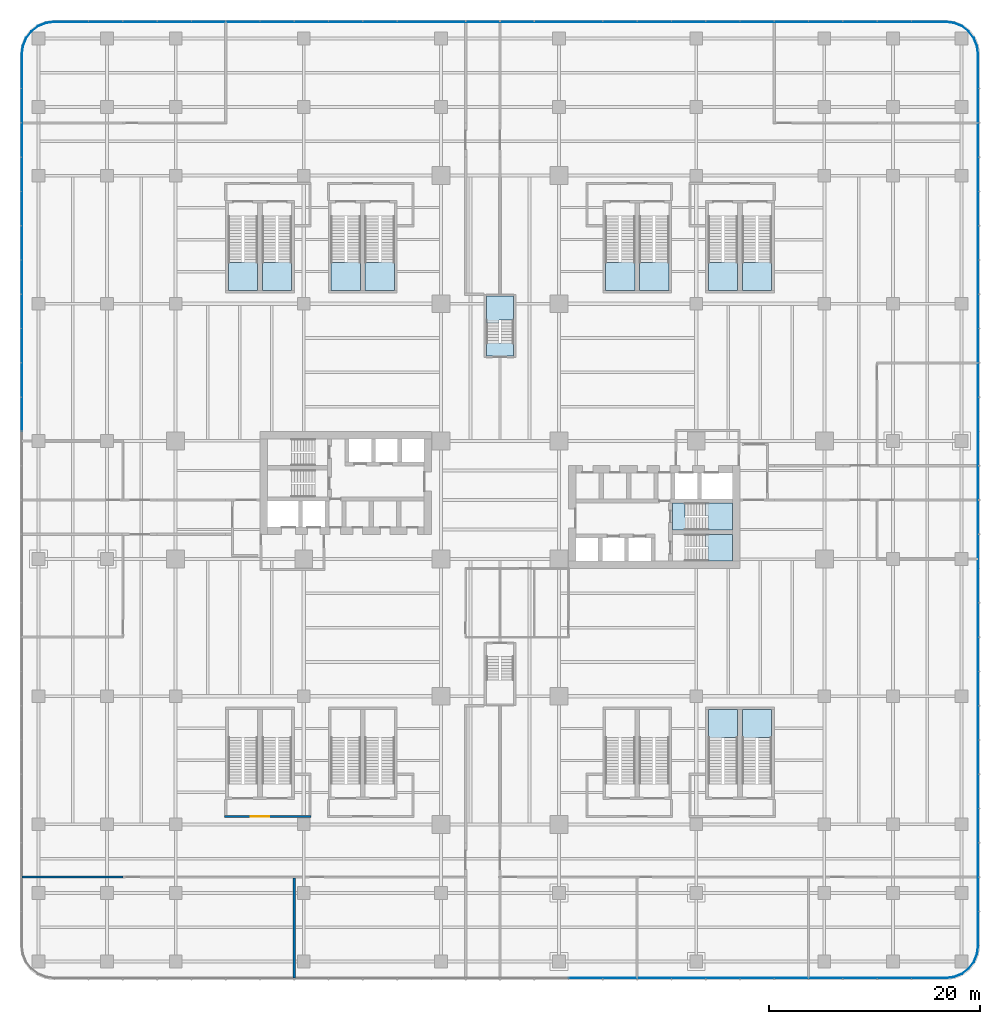
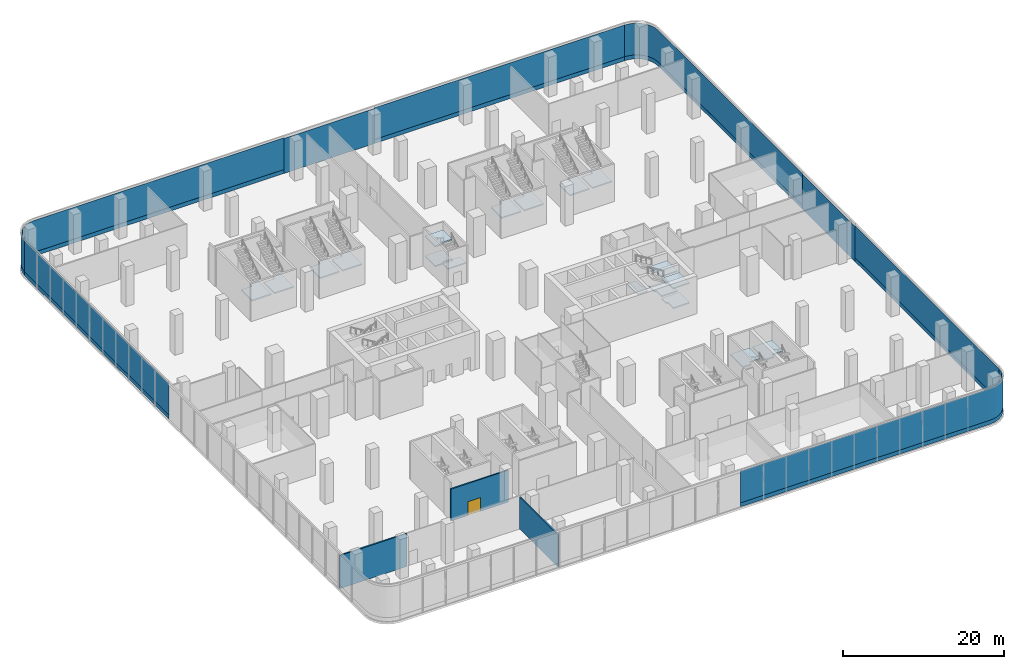
# One storey, part 32 of 41: 18 slabs, 14 plates, 3 walls, 1 door, 1 opening, 21 elements without a shape of their own.
"""IFC4 building model written with IfcOpenShell, lengths in metres."""

from ifc_helpers import new_model, si_unit, direction, frame, frame_2d, origin, place, context, subcontext, project, spatial, polyline, rectangle, outline, extrude, source, transform, mapped, material, layer, layer_set, type_object, element, fill, aggregate, save


model = new_model("IFC4")

# Units and contexts
model_context = context("Model", 3, precision=1e-05, world=origin(), true_north=direction((0.0, 1.0)))
body_context = subcontext(model_context, "Body", "Model", "MODEL_VIEW")
ifc_project = project(units=[si_unit("LENGTHUNIT", "METRE"), si_unit("AREAUNIT", "SQUARE_METRE"), si_unit("VOLUMEUNIT", "CUBIC_METRE"), si_unit("PLANEANGLEUNIT", "RADIAN"), si_unit("MASSUNIT", "GRAM", prefix="KILO")], contexts=[model_context])

# Site, building, storey
site_placement = place(None, origin())
site = spatial("IfcSite", under=ifc_project, at=site_placement, CompositionType="ELEMENT")
building_placement = place(site_placement, origin())
building = spatial("IfcBuilding", under=site, at=building_placement, Name="Trellis Farm Tower", CompositionType="ELEMENT")
storey_placement = place(building_placement, frame((0.0, 0.0, 8.0)))
storey = spatial("IfcBuildingStorey", under=building, at=storey_placement, Name="L01", CompositionType="ELEMENT", Elevation=8.0)

# Stair, slab
ifc_material_1 = material(Name="Concrete C50/60", Category="concrete")
stair_type_1 = type_object("IfcStairType", Name="PODIUM EXIT STAIR 34 RISERS 176 MM 1250 WIDE", PredefinedType="HALF_TURN_STAIR", material=ifc_material_1)
placement_1 = place(storey_placement, origin())
stair_1 = element("IfcStair", 1, at=placement_1, inside=storey, type_object=stair_type_1, Name="Podium exit stair STP1A", PredefinedType="HALF_TURN_STAIR")
ifc_layer_1 = layer(ifc_material_1, 0.18994140625)
ifc_layer_set_1 = layer_set([ifc_layer_1], Name="CORE STAIR LANDING 190 CONCRETE C50/60")
slab_type_1 = type_object("IfcSlabType", Name="CORE STAIR LANDING 190 CONCRETE C50/60", PredefinedType="LANDING", material=ifc_layer_set_1)
placement_2 = place(storey_placement, frame((0.0, 0.0, 2.81005859375)))
slab_1 = element("IfcSlab", 2, at=placement_2, type_object=slab_type_1, Name="STP1A landing 1", PredefinedType="LANDING", context=body_context, shape_type="SweptSolid", body=[
    extrude(outline(polyline([(-22.969970703125, 19.85009765625), (-25.75, 19.85009765625), (-25.75, 22.5), (-25.75, 22.510009765625), (-24.5, 22.510009765625), (-24.5, 22.5), (-24.219970703125, 22.5), (-24.219970703125, 23.034423828125), (-22.969970703125, 23.034423828125), (-22.969970703125, 22.5), (-22.969970703125, 19.85009765625)])), origin(), (0.0, 0.0, 1.0), 0.18994140625),
])
aggregate(stair_1, [slab_1])

stair_2 = element("IfcStair", 3, at=placement_1, inside=storey, type_object=stair_type_1, Name="Podium exit stair STP1B", PredefinedType="HALF_TURN_STAIR")
slab_2 = element("IfcSlab", 4, at=placement_2, type_object=slab_type_1, Name="STP1B landing 1", PredefinedType="LANDING", context=body_context, shape_type="SweptSolid", body=[
    extrude(outline(polyline([(-19.75, 19.85009765625), (-22.530029296875, 19.85009765625), (-22.530029296875, 22.5), (-22.530029296875, 22.510009765625), (-21.280029296875, 22.510009765625), (-21.280029296875, 22.5), (-21.0, 22.5), (-21.0, 23.034423828125), (-19.75, 23.034423828125), (-19.75, 22.5), (-19.75, 19.85009765625)])), origin(), (0.0, 0.0, 1.0), 0.18994140625),
])
aggregate(stair_2, [slab_2])

stair_3 = element("IfcStair", 5, at=placement_1, inside=storey, type_object=stair_type_1, Name="Podium exit stair STP2A", PredefinedType="HALF_TURN_STAIR")
slab_3 = element("IfcSlab", 6, at=placement_2, type_object=slab_type_1, Name="STP2A landing 1", PredefinedType="LANDING", context=body_context, shape_type="SweptSolid", body=[
    extrude(outline(polyline([(-13.219970703125, 19.85009765625), (-16.0, 19.85009765625), (-16.0, 22.5), (-16.0, 22.510009765625), (-14.75, 22.510009765625), (-14.75, 22.5), (-14.469970703125, 22.5), (-14.469970703125, 23.034423828125), (-13.219970703125, 23.034423828125), (-13.219970703125, 22.5), (-13.219970703125, 19.85009765625)])), origin(), (0.0, 0.0, 1.0), 0.18994140625),
])
aggregate(stair_3, [slab_3])

stair_4 = element("IfcStair", 7, at=placement_1, inside=storey, type_object=stair_type_1, Name="Podium exit stair STP2B", PredefinedType="HALF_TURN_STAIR")
slab_4 = element("IfcSlab", 8, at=placement_2, type_object=slab_type_1, Name="STP2B landing 1", PredefinedType="LANDING", context=body_context, shape_type="SweptSolid", body=[
    extrude(outline(polyline([(-10.0, 19.85009765625), (-12.780029296875, 19.85009765625), (-12.780029296875, 22.5), (-12.780029296875, 22.510009765625), (-11.530029296875, 22.510009765625), (-11.530029296875, 22.5), (-11.25, 22.5), (-11.25, 23.034423828125), (-10.0, 23.034423828125), (-10.0, 22.5), (-10.0, 19.85009765625)])), origin(), (0.0, 0.0, 1.0), 0.18994140625),
])
aggregate(stair_4, [slab_4])

stair_5 = element("IfcStair", 9, at=placement_1, inside=storey, type_object=stair_type_1, Name="Podium exit stair STP3A", PredefinedType="HALF_TURN_STAIR")
slab_5 = element("IfcSlab", 10, at=placement_2, type_object=slab_type_1, Name="STP3A landing 1", PredefinedType="LANDING", context=body_context, shape_type="SweptSolid", body=[
    extrude(outline(polyline([(12.780029296875, 19.85009765625), (10.0, 19.85009765625), (10.0, 22.5), (10.0, 22.510009765625), (11.25, 22.510009765625), (11.25, 22.5), (11.530029296875, 22.5), (11.530029296875, 23.034423828125), (12.780029296875, 23.034423828125), (12.780029296875, 22.5), (12.780029296875, 19.85009765625)])), origin(), (0.0, 0.0, 1.0), 0.18994140625),
])
aggregate(stair_5, [slab_5])

stair_6 = element("IfcStair", 11, at=placement_1, inside=storey, type_object=stair_type_1, Name="Podium exit stair STP3B", PredefinedType="HALF_TURN_STAIR")
slab_6 = element("IfcSlab", 12, at=placement_2, type_object=slab_type_1, Name="STP3B landing 1", PredefinedType="LANDING", context=body_context, shape_type="SweptSolid", body=[
    extrude(outline(polyline([(16.0, 19.85009765625), (13.219970703125, 19.85009765625), (13.219970703125, 22.5), (13.219970703125, 22.510009765625), (14.469970703125, 22.510009765625), (14.469970703125, 22.5), (14.75, 22.5), (14.75, 23.034423828125), (16.0, 23.034423828125), (16.0, 22.5), (16.0, 19.85009765625)])), origin(), (0.0, 0.0, 1.0), 0.18994140625),
])
aggregate(stair_6, [slab_6])

stair_7 = element("IfcStair", 13, at=placement_1, inside=storey, type_object=stair_type_1, Name="Podium exit stair STP4A", PredefinedType="HALF_TURN_STAIR")
slab_7 = element("IfcSlab", 14, at=placement_2, type_object=slab_type_1, Name="STP4A landing 1", PredefinedType="LANDING", context=body_context, shape_type="SweptSolid", body=[
    extrude(outline(polyline([(22.530029296875, 19.85009765625), (19.75, 19.85009765625), (19.75, 22.5), (19.75, 22.510009765625), (21.0, 22.510009765625), (21.0, 22.5), (21.280029296875, 22.5), (21.280029296875, 23.034423828125), (22.530029296875, 23.034423828125), (22.530029296875, 22.5), (22.530029296875, 19.85009765625)])), origin(), (0.0, 0.0, 1.0), 0.18994140625),
])
aggregate(stair_7, [slab_7])

stair_8 = element("IfcStair", 15, at=placement_1, inside=storey, type_object=stair_type_1, Name="Podium exit stair STP4B", PredefinedType="HALF_TURN_STAIR")
slab_8 = element("IfcSlab", 16, at=placement_2, type_object=slab_type_1, Name="STP4B landing 1", PredefinedType="LANDING", context=body_context, shape_type="SweptSolid", body=[
    extrude(outline(polyline([(25.75, 19.85009765625), (22.969970703125, 19.85009765625), (22.969970703125, 22.5), (22.969970703125, 22.510009765625), (24.219970703125, 22.510009765625), (24.219970703125, 22.5), (24.5, 22.5), (24.5, 23.034423828125), (25.75, 23.034423828125), (25.75, 22.5), (25.75, 19.85009765625)])), origin(), (0.0, 0.0, 1.0), 0.18994140625),
])
aggregate(stair_8, [slab_8])

stair_9 = element("IfcStair", 17, at=placement_1, inside=storey, type_object=stair_type_1, Name="Podium exit stair STP8A", PredefinedType="HALF_TURN_STAIR")
slab_9 = element("IfcSlab", 18, at=placement_2, type_object=slab_type_1, Name="STP8A landing 1", PredefinedType="LANDING", context=body_context, shape_type="SweptSolid", body=[
    extrude(outline(polyline([(21.0, -23.034423828125), (19.75, -23.034423828125), (19.75, -22.5), (19.75, -19.85009765625), (22.530029296875, -19.85009765625), (22.530029296875, -22.5), (22.530029296875, -22.510009765625), (21.280029296875, -22.510009765625), (21.280029296875, -22.5), (21.0, -22.5), (21.0, -23.034423828125)])), origin(), (0.0, 0.0, 1.0), 0.18994140625),
])
aggregate(stair_9, [slab_9])

stair_10 = element("IfcStair", 19, at=placement_1, inside=storey, type_object=stair_type_1, Name="Podium exit stair STP8B", PredefinedType="HALF_TURN_STAIR")
slab_10 = element("IfcSlab", 20, at=placement_2, type_object=slab_type_1, Name="STP8B landing 1", PredefinedType="LANDING", context=body_context, shape_type="SweptSolid", body=[
    extrude(outline(polyline([(24.219970703125, -23.034423828125), (22.969970703125, -23.034423828125), (22.969970703125, -22.5), (22.969970703125, -19.85009765625), (25.75, -19.85009765625), (25.75, -22.5), (25.75, -22.510009765625), (24.5, -22.510009765625), (24.5, -22.5), (24.219970703125, -22.5), (24.219970703125, -23.034423828125)])), origin(), (0.0, 0.0, 1.0), 0.18994140625),
])
aggregate(stair_10, [slab_10])

# Curtain wall, plate
ifc_material_2 = material(Name="Aluminium and glass curtain wall", Category="aluminium")
ifc_layer_2 = layer(ifc_material_2, 0.201904296875)
ifc_layer_set_2 = layer_set([ifc_layer_2], Name="SHOPFRONT CURTAIN WALL CW2")
curtain_wall_type_1 = type_object("IfcCurtainWallType", Name="SHOPFRONT CURTAIN WALL CW2", PredefinedType="NOTDEFINED", material=ifc_layer_set_2)
curtain_wall_1 = element("IfcCurtainWall", 21, at=placement_1, inside=storey, type_object=curtain_wall_type_1, Name="CW2 001", PredefinedType="NOTDEFINED")
ifc_material_3 = material(Name="Clear insulated glass", Category="glass")
ifc_layer_3 = layer(ifc_material_3, 0.052001953125)
ifc_layer_set_3 = layer_set([ifc_layer_3], Name="CW2 GLASS PANEL 52")
plate_type_1 = type_object("IfcPlateType", Name="CW2 GLASS PANEL 52", PredefinedType="CURTAIN_PANEL", material=ifc_layer_set_3)
placement_3 = place(storey_placement, frame((0.0, 0.0, 0.60009765625)))
plate_1 = element("IfcPlate", 22, at=placement_3, type_object=plate_type_1, Name="PL2 001", PredefinedType="CURTAIN_PANEL", context=body_context, shape_type="SweptSolid", body=[
    extrude(outline(polyline([(45.35009765625, -42.240234375), (45.35009765625, -6.5), (45.298095703125, -6.5), (45.298095703125, -42.23681640625), (45.35009765625, -42.240234375)])), origin(), (0.0, 0.0, 1.0), 4.7998046875),
])

curtain_wall_2 = element("IfcCurtainWall", 23, at=placement_1, inside=storey, type_object=curtain_wall_type_1, Name="CW2 002", PredefinedType="NOTDEFINED")
plate_2 = element("IfcPlate", 24, at=placement_3, type_object=plate_type_1, Name="PL2 002", PredefinedType="CURTAIN_PANEL", context=body_context, shape_type="SweptSolid", body=[
    extrude(outline(polyline([(45.35009765625, 6.5), (45.35009765625, 42.240234375), (45.2431640625, 43.052001953125), (44.93359375, 43.79931640625), (44.441162109375, 44.441162109375), (43.79931640625, 44.93359375), (43.052001953125, 45.2431640625), (42.240234375, 45.35009765625), (42.23681640625, 45.298095703125), (43.038330078125, 45.1923828125), (43.773193359375, 44.88818359375), (44.404052734375, 44.404052734375), (44.88818359375, 43.773193359375), (45.1923828125, 43.038330078125), (45.298095703125, 42.23681640625), (45.298095703125, 6.5), (45.35009765625, 6.5)])), origin(), (0.0, 0.0, 1.0), 4.7998046875),
])

curtain_wall_3 = element("IfcCurtainWall", 25, at=placement_1, inside=storey, type_object=curtain_wall_type_1, Name="CW2 003", PredefinedType="NOTDEFINED")
plate_3 = element("IfcPlate", 26, at=placement_3, type_object=plate_type_1, Name="PL2 003", PredefinedType="CURTAIN_PANEL", context=body_context, shape_type="SweptSolid", body=[
    extrude(outline(polyline([(42.240234375, 45.35009765625), (6.5, 45.35009765625), (6.5, 45.298095703125), (42.23681640625, 45.298095703125), (42.240234375, 45.35009765625)])), origin(), (0.0, 0.0, 1.0), 4.7998046875),
])

curtain_wall_4 = element("IfcCurtainWall", 27, at=placement_1, inside=storey, type_object=curtain_wall_type_1, Name="CW2 004", PredefinedType="NOTDEFINED")
plate_4 = element("IfcPlate", 28, at=placement_3, type_object=plate_type_1, Name="PL2 004", PredefinedType="CURTAIN_PANEL", context=body_context, shape_type="SweptSolid", body=[
    extrude(outline(polyline([(-6.5, 45.35009765625), (-42.240234375, 45.35009765625), (-43.052001953125, 45.2431640625), (-43.79931640625, 44.93359375), (-44.441162109375, 44.441162109375), (-44.93359375, 43.79931640625), (-45.2431640625, 43.052001953125), (-45.35009765625, 42.240234375), (-45.298095703125, 42.23681640625), (-45.1923828125, 43.038330078125), (-44.88818359375, 43.773193359375), (-44.404052734375, 44.404052734375), (-43.773193359375, 44.88818359375), (-43.038330078125, 45.1923828125), (-42.23681640625, 45.298095703125), (-6.5, 45.298095703125), (-6.5, 45.35009765625)])), origin(), (0.0, 0.0, 1.0), 4.7998046875),
])

curtain_wall_5 = element("IfcCurtainWall", 29, at=placement_1, inside=storey, type_object=curtain_wall_type_1, Name="CW2 005", PredefinedType="NOTDEFINED")
plate_5 = element("IfcPlate", 30, at=placement_3, type_object=plate_type_1, Name="PL2 005", PredefinedType="CURTAIN_PANEL", context=body_context, shape_type="SweptSolid", body=[
    extrude(outline(polyline([(-45.35009765625, 42.240234375), (-45.35009765625, 6.5), (-45.298095703125, 6.5), (-45.298095703125, 42.23681640625), (-45.35009765625, 42.240234375)])), origin(), (0.0, 0.0, 1.0), 4.7998046875),
])

curtain_wall_6 = element("IfcCurtainWall", 31, at=placement_1, inside=storey, type_object=curtain_wall_type_1, Name="CW2 008", PredefinedType="NOTDEFINED")
plate_6 = element("IfcPlate", 32, at=placement_3, type_object=plate_type_1, Name="PL2 008", PredefinedType="CURTAIN_PANEL", context=body_context, shape_type="SweptSolid", body=[
    extrude(outline(polyline([(6.5, -45.35009765625), (42.240234375, -45.35009765625), (43.052001953125, -45.2431640625), (43.79931640625, -44.93359375), (44.441162109375, -44.441162109375), (44.93359375, -43.79931640625), (45.2431640625, -43.052001953125), (45.35009765625, -42.240234375), (45.298095703125, -42.23681640625), (45.1923828125, -43.038330078125), (44.88818359375, -43.773193359375), (44.404052734375, -44.404052734375), (43.773193359375, -44.88818359375), (43.038330078125, -45.1923828125), (42.23681640625, -45.298095703125), (6.5, -45.298095703125), (6.5, -45.35009765625)])), origin(), (0.0, 0.0, 1.0), 4.7998046875),
])

# Plate
ifc_material_4 = material(Name="Sandstone faced insulated panel", Category="masonry")
ifc_layer_4 = layer(ifc_material_4, 0.054931640625)
ifc_layer_set_4 = layer_set([ifc_layer_4], Name="CW2 STONE SPANDREL PANEL 55")
plate_type_2 = type_object("IfcPlateType", Name="CW2 STONE SPANDREL PANEL 55", PredefinedType="CURTAIN_PANEL", material=ifc_layer_set_4)
plate_7 = element("IfcPlate", 33, at=placement_1, type_object=plate_type_2, Name="PS2 001", PredefinedType="CURTAIN_PANEL", context=body_context, shape_type="SweptSolid", body=[
    extrude(outline(polyline([(45.35009765625, -42.240234375), (45.35009765625, -6.5), (45.294921875, -6.5), (45.294921875, -42.236572265625), (45.35009765625, -42.240234375)])), origin(), (0.0, 0.0, 1.0), 0.60009765625),
])

aggregate(curtain_wall_1, [plate_1, plate_7])

plate_8 = element("IfcPlate", 34, at=placement_1, type_object=plate_type_2, Name="PS2 002", PredefinedType="CURTAIN_PANEL", context=body_context, shape_type="SweptSolid", body=[
    extrude(outline(polyline([(45.35009765625, 6.5), (45.35009765625, 42.240234375), (45.2431640625, 43.052001953125), (44.93359375, 43.79931640625), (44.441162109375, 44.441162109375), (43.79931640625, 44.93359375), (43.052001953125, 45.2431640625), (42.240234375, 45.35009765625), (42.236572265625, 45.294921875), (43.03759765625, 45.189453125), (43.771728515625, 44.885498046875), (44.40185546875, 44.40185546875), (44.885498046875, 43.771728515625), (45.189453125, 43.03759765625), (45.294921875, 42.236572265625), (45.294921875, 6.5), (45.35009765625, 6.5)])), origin(), (0.0, 0.0, 1.0), 0.60009765625),
])

aggregate(curtain_wall_2, [plate_2, plate_8])

plate_9 = element("IfcPlate", 35, at=placement_1, type_object=plate_type_2, Name="PS2 003", PredefinedType="CURTAIN_PANEL", context=body_context, shape_type="SweptSolid", body=[
    extrude(outline(polyline([(42.240234375, 45.35009765625), (6.5, 45.35009765625), (6.5, 45.294921875), (42.236572265625, 45.294921875), (42.240234375, 45.35009765625)])), origin(), (0.0, 0.0, 1.0), 0.60009765625),
])

aggregate(curtain_wall_3, [plate_3, plate_9])

plate_10 = element("IfcPlate", 36, at=placement_1, type_object=plate_type_2, Name="PS2 004", PredefinedType="CURTAIN_PANEL", context=body_context, shape_type="SweptSolid", body=[
    extrude(outline(polyline([(-6.5, 45.35009765625), (-42.240234375, 45.35009765625), (-43.052001953125, 45.2431640625), (-43.79931640625, 44.93359375), (-44.441162109375, 44.441162109375), (-44.93359375, 43.79931640625), (-45.2431640625, 43.052001953125), (-45.35009765625, 42.240234375), (-45.294921875, 42.236572265625), (-45.189453125, 43.03759765625), (-44.885498046875, 43.771728515625), (-44.40185546875, 44.40185546875), (-43.771728515625, 44.885498046875), (-43.03759765625, 45.189453125), (-42.236572265625, 45.294921875), (-6.5, 45.294921875), (-6.5, 45.35009765625)])), origin(), (0.0, 0.0, 1.0), 0.60009765625),
])

aggregate(curtain_wall_4, [plate_4, plate_10])

plate_11 = element("IfcPlate", 37, at=placement_1, type_object=plate_type_2, Name="PS2 005", PredefinedType="CURTAIN_PANEL", context=body_context, shape_type="SweptSolid", body=[
    extrude(outline(polyline([(-45.35009765625, 42.240234375), (-45.35009765625, 6.5), (-45.294921875, 6.5), (-45.294921875, 42.236572265625), (-45.35009765625, 42.240234375)])), origin(), (0.0, 0.0, 1.0), 0.60009765625),
])

aggregate(curtain_wall_5, [plate_5, plate_11])

plate_12 = element("IfcPlate", 38, at=placement_1, type_object=plate_type_2, Name="PS2 008", PredefinedType="CURTAIN_PANEL", context=body_context, shape_type="SweptSolid", body=[
    extrude(outline(polyline([(6.5, -45.35009765625), (42.240234375, -45.35009765625), (43.052001953125, -45.2431640625), (43.79931640625, -44.93359375), (44.441162109375, -44.441162109375), (44.93359375, -43.79931640625), (45.2431640625, -43.052001953125), (45.35009765625, -42.240234375), (45.294921875, -42.236572265625), (45.189453125, -43.03759765625), (44.885498046875, -43.771728515625), (44.40185546875, -44.40185546875), (43.771728515625, -44.885498046875), (43.03759765625, -45.189453125), (42.236572265625, -45.294921875), (6.5, -45.294921875), (6.5, -45.35009765625)])), origin(), (0.0, 0.0, 1.0), 0.60009765625),
])

aggregate(curtain_wall_6, [plate_6, plate_12])

# Curtain wall, plate
ifc_layer_5 = layer(ifc_material_2, 0.2099609375)
ifc_layer_set_5 = layer_set([ifc_layer_5], Name="LOBBY CURTAIN WALL CW4")
curtain_wall_type_2 = type_object("IfcCurtainWallType", Name="LOBBY CURTAIN WALL CW4", PredefinedType="NOTDEFINED", material=ifc_layer_set_5)
curtain_wall_7 = element("IfcCurtainWall", 39, at=placement_1, inside=storey, type_object=curtain_wall_type_2, Name="CW4 001", PredefinedType="NOTDEFINED")
ifc_layer_6 = layer(ifc_material_3, 0.06005859375)
ifc_layer_set_6 = layer_set([ifc_layer_6], Name="CW4 GLASS PANEL 60")
plate_type_3 = type_object("IfcPlateType", Name="CW4 GLASS PANEL 60", PredefinedType="CURTAIN_PANEL", material=ifc_layer_set_6)
plate_13 = element("IfcPlate", 40, at=placement_1, type_object=plate_type_3, Name="PL4 001", PredefinedType="CURTAIN_PANEL", context=body_context, shape_type="SweptSolid", body=[
    extrude(outline(polyline([(45.35009765625, -6.5), (45.35009765625, 6.5), (45.2900390625, 6.5), (45.2900390625, -6.5), (45.35009765625, -6.5)])), origin(), (0.0, 0.0, 1.0), 5.300048828125),
])
aggregate(curtain_wall_7, [plate_13])

curtain_wall_8 = element("IfcCurtainWall", 41, at=placement_1, inside=storey, type_object=curtain_wall_type_2, Name="CW4 002", PredefinedType="NOTDEFINED")
plate_14 = element("IfcPlate", 42, at=placement_1, type_object=plate_type_3, Name="PL4 002", PredefinedType="CURTAIN_PANEL", context=body_context, shape_type="SweptSolid", body=[
    extrude(outline(polyline([(6.5, 45.35009765625), (-6.5, 45.35009765625), (-6.5, 45.2900390625), (6.5, 45.2900390625), (6.5, 45.35009765625)])), origin(), (0.0, 0.0, 1.0), 5.300048828125),
])
aggregate(curtain_wall_8, [plate_14])

# Stair, slabs
stair_type_2 = type_object("IfcStairType", Name="CORE EXIT STAIR 36 RISERS 167 MM", PredefinedType="HALF_TURN_STAIR", material=ifc_material_1)
stair_11 = element("IfcStair", 43, at=placement_1, inside=storey, type_object=stair_type_2, Name="Exit stair N", PredefinedType="HALF_TURN_STAIR")
ifc_layer_7 = layer(ifc_material_1, 0.179931640625)
ifc_layer_set_7 = layer_set([ifc_layer_7], Name="CORE STAIR LANDING 180 CONCRETE C50/60")
slab_type_2 = type_object("IfcSlabType", Name="CORE STAIR LANDING 180 CONCRETE C50/60", PredefinedType="LANDING", material=ifc_layer_set_7)
shared_shape_1 = source(origin(), body_context, "Body", "SweptSolid", [
    extrude(outline(polyline([(-0.10009765625, 16.79052734375), (-1.300048828125, 16.79052734375), (-1.300048828125, 17.050048828125), (-1.300048828125, 19.35009765625), (1.300048828125, 19.35009765625), (1.300048828125, 17.050048828125), (1.300048828125, 17.0400390625), (0.10009765625, 17.0400390625), (0.10009765625, 17.050048828125), (-0.10009765625, 17.050048828125), (-0.10009765625, 16.79052734375)])), origin(), (0.0, 0.0, 1.0), 0.179931640625),
])
placement_4 = place(storey_placement, frame((0.0, 0.0, 1.320068359375)))
slab_11 = element("IfcSlab", 44, at=placement_4, type_object=slab_type_2, Name="STN landing 1", PredefinedType="LANDING", context=body_context, shape_type="MappedRepresentation", body=[
    mapped(shared_shape_1, transform((0.0, 0.0, 0.0))),
])
placement_5 = place(storey_placement, frame((0.0, 0.0, 4.320068359375)))
slab_12 = element("IfcSlab", 45, at=placement_5, type_object=slab_type_2, Name="STN landing 3", PredefinedType="LANDING", context=body_context, shape_type="MappedRepresentation", body=[
    mapped(shared_shape_1, transform((0.0, 0.0, 0.0))),
])
shared_shape_2 = source(origin(), body_context, "Body", "SweptSolid", [
    extrude(outline(polyline([(1.300048828125, 13.64990234375), (-1.300048828125, 13.64990234375), (-1.300048828125, 14.85009765625), (-1.300048828125, 14.860107421875), (-0.10009765625, 14.860107421875), (-0.10009765625, 14.85009765625), (0.10009765625, 14.85009765625), (0.10009765625, 15.109375), (1.300048828125, 15.109375), (1.300048828125, 14.85009765625), (1.300048828125, 13.64990234375)])), origin(), (0.0, 0.0, 1.0), 0.179931640625),
])
placement_6 = place(storey_placement, frame((0.0, 0.0, 2.820068359375)))
slab_13 = element("IfcSlab", 46, at=placement_6, type_object=slab_type_2, Name="STN landing 2", PredefinedType="LANDING", context=body_context, shape_type="MappedRepresentation", body=[
    mapped(shared_shape_2, transform((0.0, 0.0, 0.0))),
])
aggregate(stair_11, [slab_11, slab_13, slab_12])

stair_12 = element("IfcStair", 47, at=placement_1, inside=storey, type_object=stair_type_2, Name="Exit stair E1", PredefinedType="HALF_TURN_STAIR")
shared_shape_3 = source(origin(), body_context, "Body", "SweptSolid", [
    extrude(outline(polyline([(19.739990234375, -5.800048828125), (19.739990234375, -4.60009765625), (19.75, -4.60009765625), (19.75, -4.449951171875), (19.49072265625, -4.449951171875), (19.49072265625, -3.25), (19.75, -3.25), (22.050048828125, -3.25), (22.050048828125, -5.800048828125), (19.75, -5.800048828125), (19.739990234375, -5.800048828125)])), origin(), (0.0, 0.0, 1.0), 0.179931640625),
])
slab_14 = element("IfcSlab", 48, at=placement_4, type_object=slab_type_2, Name="STE1 landing 1", PredefinedType="LANDING", context=body_context, shape_type="MappedRepresentation", body=[
    mapped(shared_shape_3, transform((0.0, 0.0, 0.0))),
])
slab_15 = element("IfcSlab", 49, at=placement_5, type_object=slab_type_2, Name="STE1 landing 3", PredefinedType="LANDING", context=body_context, shape_type="MappedRepresentation", body=[
    mapped(shared_shape_3, transform((0.0, 0.0, 0.0))),
])
aggregate(stair_12, [slab_14, slab_15])

stair_13 = element("IfcStair", 50, at=placement_1, inside=storey, type_object=stair_type_2, Name="Exit stair E2", PredefinedType="HALF_TURN_STAIR")
shared_shape_4 = source(origin(), body_context, "Body", "SweptSolid", [
    extrude(outline(polyline([(19.739990234375, -2.85009765625), (19.739990234375, -1.64990234375), (19.75, -1.64990234375), (19.75, -1.5), (19.49072265625, -1.5), (19.49072265625, -0.300048828125), (19.75, -0.300048828125), (22.050048828125, -0.300048828125), (22.050048828125, -2.85009765625), (19.75, -2.85009765625), (19.739990234375, -2.85009765625)])), origin(), (0.0, 0.0, 1.0), 0.179931640625),
])
slab_16 = element("IfcSlab", 51, at=placement_4, type_object=slab_type_2, Name="STE2 landing 1", PredefinedType="LANDING", context=body_context, shape_type="MappedRepresentation", body=[
    mapped(shared_shape_4, transform((0.0, 0.0, 0.0))),
])
slab_17 = element("IfcSlab", 52, at=placement_5, type_object=slab_type_2, Name="STE2 landing 3", PredefinedType="LANDING", context=body_context, shape_type="MappedRepresentation", body=[
    mapped(shared_shape_4, transform((0.0, 0.0, 0.0))),
])
shared_shape_5 = source(origin(), body_context, "Body", "SweptSolid", [
    extrude(outline(polyline([(17.809326171875, -1.64990234375), (17.809326171875, -2.85009765625), (17.550048828125, -2.85009765625), (16.35009765625, -2.85009765625), (16.35009765625, -0.300048828125), (17.550048828125, -0.300048828125), (17.56005859375, -0.300048828125), (17.56005859375, -1.5), (17.550048828125, -1.5), (17.550048828125, -1.64990234375), (17.809326171875, -1.64990234375)])), origin(), (0.0, 0.0, 1.0), 0.179931640625),
])
slab_18 = element("IfcSlab", 53, at=placement_6, type_object=slab_type_2, Name="STE2 landing 2", PredefinedType="LANDING", context=body_context, shape_type="MappedRepresentation", body=[
    mapped(shared_shape_5, transform((0.0, 0.0, 0.0))),
])
aggregate(stair_13, [slab_16, slab_18, slab_17])

# Walls
ifc_material_5 = material(Name="Lightweight blockwork, plastered", Category="masonry")
ifc_layer_8 = layer(ifc_material_5, 0.199951171875)
ifc_layer_set_8 = layer_set([ifc_layer_8], Name="BLOCK WALL 200 EI 120")
wall_type = type_object("IfcWallType", Name="BLOCK WALL 200 EI 120", PredefinedType="PARTITIONING", material=ifc_layer_set_8)
shared_shape_6 = source(origin(), body_context, "Body", "SweptSolid", [
    extrude(rectangle(XDim=9.487548828125, YDim=0.199951171875, at=frame_2d((4.74365234375, 0.0))), origin(), (0.0, 0.0, 1.0), 4.83935546875),
])
wall_1_placement = place(storey_placement, frame((-19.5, -45.300048828125, 0.0), z_axis=(0.0, 0.0, 1.0), x_axis=(0.0, 1.0, 0.0)))
element("IfcWall", 54, at=wall_1_placement, inside=storey, type_object=wall_type, Name="Partition PW3", PredefinedType="PARTITIONING", context=body_context, shape_type="MappedRepresentation", body=[
    mapped(shared_shape_6, transform((0.0, 0.0, 0.0))),
])
shared_shape_7 = source(origin(), body_context, "Body", "SweptSolid", [
    extrude(rectangle(XDim=9.550048828125, YDim=0.199951171875, at=frame_2d((4.77490234375, 0.0))), origin(), (0.0, 0.0, 1.0), 4.99658203125),
])
wall_2_placement = place(storey_placement, frame((-45.300048828125, -35.75, 0.0), z_axis=(0.0, 0.0, 1.0), x_axis=(1.0, 0.0, 0.0)))
element("IfcWall", 55, at=wall_2_placement, inside=storey, type_object=wall_type, Name="Partition PW3", PredefinedType="PARTITIONING", context=body_context, shape_type="MappedRepresentation", body=[
    mapped(shared_shape_7, transform((0.0, 0.0, 0.0))),
])

# Wall, opening, door
shared_shape_8 = source(origin(), body_context, "Body", "SweptSolid", [
    extrude(rectangle(XDim=8.2001953125, YDim=0.199951171875, at=frame_2d((4.10009765625, 0.0))), origin(), (0.0, 0.0, 1.0), 4.83935546875),
])
wall_3_placement = place(storey_placement, frame((-26.10009765625, -30.0, 0.0), z_axis=(0.0, 0.0, 1.0), x_axis=(1.0, 0.0, 0.0)))
wall_3 = element("IfcWall", 56, at=wall_3_placement, inside=storey, type_object=wall_type, Name="Partition PW3", PredefinedType="PARTITIONING", context=body_context, shape_type="MappedRepresentation", body=[
    mapped(shared_shape_8, transform((0.0, 0.0, 0.0))),
])
shared_shape_9 = source(origin(), body_context, "Body", "SweptSolid", [
    extrude(rectangle(XDim=1.800048828125, YDim=2.10009765625, at=frame_2d((0.89990234375, 1.050048828125))), frame((0.0, 0.110107421875, 0.0), z_axis=(0.0, -1.0, 0.0), x_axis=(1.0, 0.0, 0.0)), (0.0, 0.0, 1.0), 0.22021484375),
])
opening_placement = place(wall_3_placement, frame((2.449951171875, 0.0, 0.0)))
opening = element("IfcOpeningElement", 57, at=opening_placement, cuts=wall_3, Name="Opening D403", PredefinedType="OPENING", context=body_context, shape_type="MappedRepresentation", body=[
    mapped(shared_shape_9, transform((0.0, 0.0, 0.0))),
])
ifc_material_6 = material(Name="Fire-rated timber door leaf in a hollow metal frame", Category="wood")
door_type = type_object("IfcDoorType", Name="DOOR PAIR 1800x2100 FD60", OperationType="NOTDEFINED", PredefinedType="DOOR", material=ifc_material_6)
shared_shape_10 = source(origin(), body_context, "Body", "SweptSolid", [
    extrude(rectangle(XDim=1.800048828125, YDim=2.10009765625, at=frame_2d((0.89990234375, 1.050048828125))), frame((0.0, 0.02490234375, 0.0), z_axis=(0.0, -1.0, 0.0), x_axis=(1.0, 0.0, 0.0)), (0.0, 0.0, 1.0), 0.050048828125),
])
door_placement = place(opening_placement, origin())
door = element("IfcDoor", 58, at=door_placement, inside=storey, type_object=door_type, Name="Door D403", OperationType="DOUBLE_DOOR_SINGLE_SWING", OverallHeight=2.10009765625, OverallWidth=1.800048828125, PredefinedType="DOOR", context=body_context, shape_type="MappedRepresentation", body=[
    mapped(shared_shape_10, transform((0.0, 0.0, 0.0))),
])
fill(opening, door)

save(model, "model.ifc")
